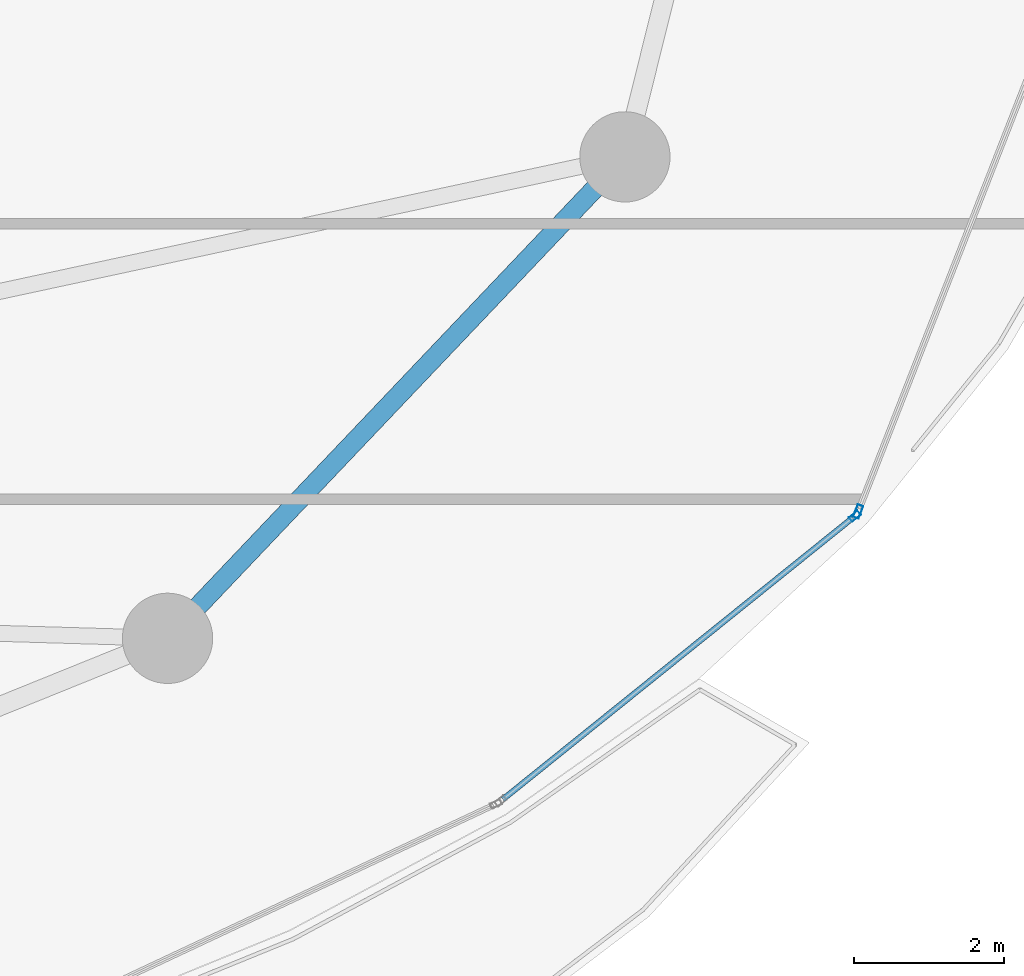
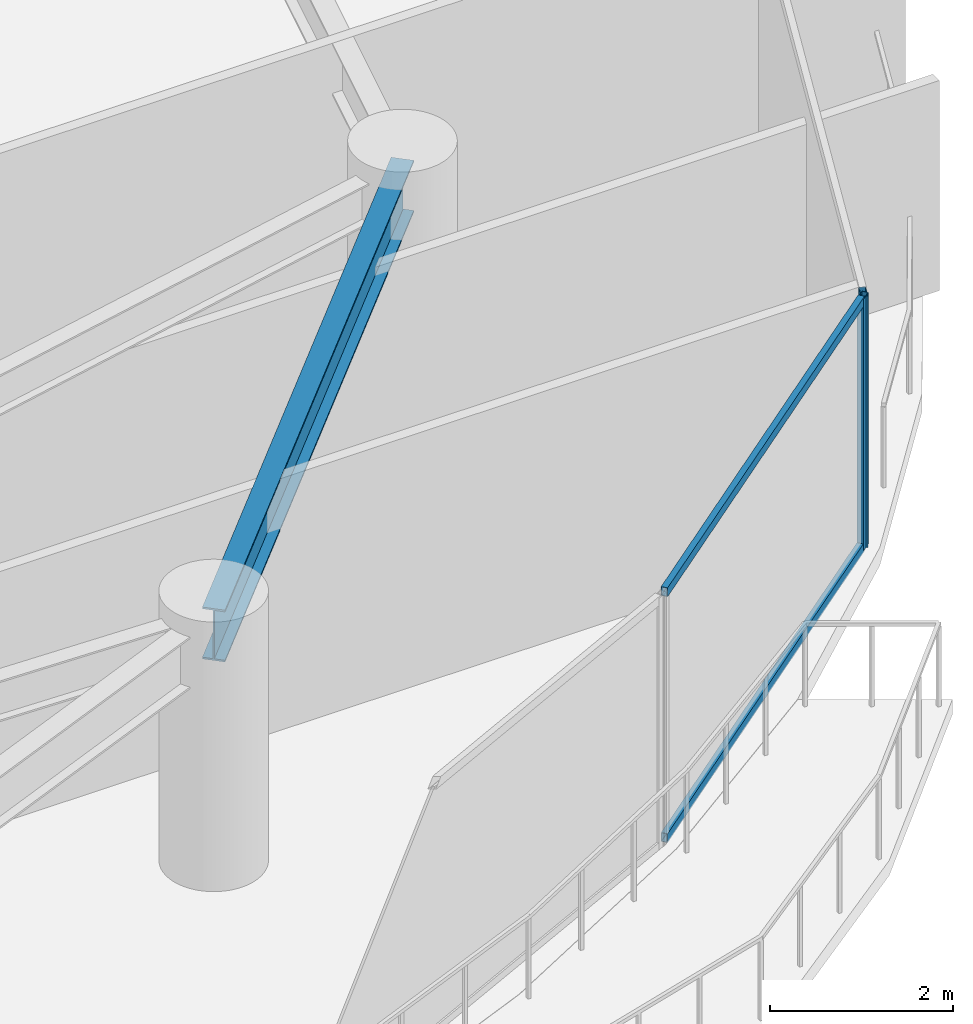
# One storey, part 15 of 34: 4 members, 1 beam, 2 elements without a shape of their own.
"""IFC4 building model written with IfcOpenShell, lengths in metres."""

from ifc_helpers import new_model, si_unit, direction, frame, origin, origin_2d, place, context, subcontext, project, spatial, hollow_rectangle, i_section, extrude, material, layer, layer_set, material_profile, profile_set, type_object, element, aggregate, save


model = new_model("IFC4")

# Units and contexts
model_context = context("Model", 3, precision=1e-05, world=origin(), true_north=direction((0.0, 1.0)))
body_context = subcontext(model_context, "Body", "Model", "MODEL_VIEW")
ifc_project = project(units=[si_unit("LENGTHUNIT", "METRE"), si_unit("AREAUNIT", "SQUARE_METRE"), si_unit("VOLUMEUNIT", "CUBIC_METRE"), si_unit("PLANEANGLEUNIT", "RADIAN"), si_unit("MASSUNIT", "GRAM", prefix="KILO")], contexts=[model_context])

# Site, building, storey
site_placement = place(None, origin())
site = spatial("IfcSite", under=ifc_project, at=site_placement, CompositionType="ELEMENT")
building_placement = place(site_placement, origin())
building = spatial("IfcBuilding", under=site, at=building_placement, Name="Kazevale Care Tower and Concert Hall", CompositionType="ELEMENT")
storey_placement = place(building_placement, frame((0.0, 0.0, 160.199951171875)))
storey = spatial("IfcBuildingStorey", under=building, at=storey_placement, Name="L42", CompositionType="ELEMENT", Elevation=160.199951171875)

# Curtain wall, member
ifc_material_1 = material(Name="Aluminium 6063-T6 and Low-E Glass", Category="aluminium")
ifc_layer_1 = layer(ifc_material_1, 0.179931640625)
ifc_layer_set_1 = layer_set([ifc_layer_1], Name="Aluminium 6063-T6 and Low-E Glass")
curtain_wall_type_1 = type_object("IfcCurtainWallType", Name="Waist & Upper Residential Curtain Wall CW-4", PredefinedType="NOTDEFINED", material=ifc_layer_set_1)
curtain_wall_1_placement = place(storey_placement, origin())
curtain_wall_1 = element("IfcCurtainWall", 1, at=curtain_wall_1_placement, inside=storey, type_object=curtain_wall_type_1, Name="cw:L42:f01", PredefinedType="NOTDEFINED")
ifc_material_2 = material(Name="Aluminium 6063-T6", Category="aluminium")
ifc_material_profile_1 = material_profile(ifc_material_2, hollow_rectangle(XDim=0.080078125, YDim=0.179931640625, WallThickness=0.0048828125, at=origin_2d()), Name="ALU80x180x5")
ifc_profile_set_1 = profile_set([ifc_material_profile_1], Name="Aluminium 6063-T6")
member_type_1 = type_object("IfcMemberType", Name="CW-4 Mullion ALU80x180x5", PredefinedType="MULLION", material=ifc_profile_set_1)
member_1_placement = place(storey_placement, frame((74.010498046875, 24.67529296875, 0.0), z_axis=(0.0, 0.0, 1.0), x_axis=(0.931351746651, -0.36412075471, 0.0)))
member_1 = element("IfcMember", 2, at=member_1_placement, type_object=member_type_1, Name="CW-4 mullion 2", PredefinedType="MULLION", context=body_context, shape_type="SweptSolid", body=[
    extrude(hollow_rectangle(XDim=0.080078125, YDim=0.179931640625, WallThickness=0.0048828125, at=origin_2d()), origin(), (0.0, 0.0, 1.0), 3.360107421875),
])
aggregate(curtain_wall_1, [member_1])

# Curtain wall, members
ifc_layer_2 = layer(ifc_material_1, 0.179931640625)
ifc_layer_set_2 = layer_set([ifc_layer_2], Name="Aluminium 6063-T6 and Low-E Glass")
curtain_wall_type_2 = type_object("IfcCurtainWallType", Name="Sheltered Concave Balcony Curtain Wall CW-5", PredefinedType="NOTDEFINED", material=ifc_layer_set_2)
curtain_wall_2_placement = place(storey_placement, origin())
curtain_wall_2 = element("IfcCurtainWall", 3, at=curtain_wall_2_placement, inside=storey, type_object=curtain_wall_type_2, Name="cw:L42:f02", PredefinedType="NOTDEFINED")
ifc_material_profile_2 = material_profile(ifc_material_2, hollow_rectangle(XDim=0.074951171875, YDim=0.14990234375, WallThickness=0.00390625, at=origin_2d()), Name="ALU75x150x4")
ifc_profile_set_2 = profile_set([ifc_material_profile_2], Name="Aluminium 6063-T6")
member_type_2 = type_object("IfcMemberType", Name="CW-5 Mullion ALU75x150x4", PredefinedType="MULLION", material=ifc_profile_set_2)
member_2_placement = place(storey_placement, frame((73.966796875, 24.614501953125, 0.0), z_axis=(0.0, 0.0, 1.0), x_axis=(0.626905357502, -0.779095419531, 0.0)))
member_2 = element("IfcMember", 4, at=member_2_placement, type_object=member_type_2, Name="CW-5 mullion 1", PredefinedType="MULLION", context=body_context, shape_type="SweptSolid", body=[
    extrude(hollow_rectangle(XDim=0.074951171875, YDim=0.14990234375, WallThickness=0.00390625, at=origin_2d()), origin(), (0.0, 0.0, 1.0), 3.360107421875),
])
ifc_material_profile_3 = material_profile(ifc_material_2, hollow_rectangle(XDim=0.074951171875, YDim=0.1201171875, WallThickness=0.00390625, at=origin_2d()), Name="ALU75x120x4")
ifc_profile_set_3 = profile_set([ifc_material_profile_3], Name="Aluminium 6063-T6")
member_type_3 = type_object("IfcMemberType", Name="CW-5 Transom ALU75x120x4", PredefinedType="USERDEFINED", material=ifc_profile_set_3)
member_3_placement = place(storey_placement, frame((73.9375, 24.591064453125, 0.03759765625), z_axis=(-0.779097461373, -0.626902819966, 0.0), x_axis=(0.626902819966, -0.779097461373, 0.0)))
member_3 = element("IfcMember", 5, at=member_3_placement, type_object=member_type_3, Name="CW-5 transom 1.1", ObjectType="TRANSOM", PredefinedType="USERDEFINED", context=body_context, shape_type="SweptSolid", body=[
    extrude(hollow_rectangle(XDim=0.074951171875, YDim=0.1201171875, WallThickness=0.00390625, at=origin_2d()), origin(), (0.0, 0.0, 1.0), 5.96728515625),
])
member_4_placement = place(storey_placement, frame((73.9375, 24.591064453125, 3.322509765625), z_axis=(-0.779097461373, -0.626902819966, 0.0), x_axis=(0.626902819966, -0.779097461373, 0.0)))
member_4 = element("IfcMember", 6, at=member_4_placement, type_object=member_type_3, Name="CW-5 transom 1.2", ObjectType="TRANSOM", PredefinedType="USERDEFINED", context=body_context, shape_type="SweptSolid", body=[
    extrude(hollow_rectangle(XDim=0.074951171875, YDim=0.1201171875, WallThickness=0.00390625, at=origin_2d()), origin(), (0.0, 0.0, 1.0), 5.96728515625),
])
aggregate(curtain_wall_2, [member_2, member_3, member_4])

# Beam
ifc_material_3 = material(Name="Steel ASTM A572 Gr 50", Category="steel")
ifc_material_profile_4 = material_profile(ifc_material_3, i_section(OverallWidth=0.256103515625, OverallDepth=0.693115234375, WebThickness=0.014404296875, FlangeThickness=0.023681640625, at=origin_2d()), Name="W690x170")
ifc_profile_set_4 = profile_set([ifc_material_profile_4], Name="Steel ASTM A572 Gr 50")
beam_type = type_object("IfcBeamType", Name="Waist Ring Beam W690x170", PredefinedType="BEAM", material=ifc_profile_set_4)
beam_placement = place(storey_placement, frame((64.830078125, 22.989990234375, 3.013427734375), z_axis=(0.688745100728, 0.725003576697, 0.0), x_axis=(-0.725003576697, 0.688745100728, 0.0)))
element("IfcBeam", 7, at=beam_placement, inside=storey, type_object=beam_type, Name="beam:L42:ring:15", PredefinedType="BEAM", context=body_context, shape_type="SweptSolid", body=[
    extrude(i_section(OverallWidth=0.256103515625, OverallDepth=0.693115234375, WebThickness=0.014404296875, FlangeThickness=0.023681640625, at=origin_2d()), origin(), (0.0, 0.0, 1.0), 8.827392578125),
])

save(model, "model.ifc")
